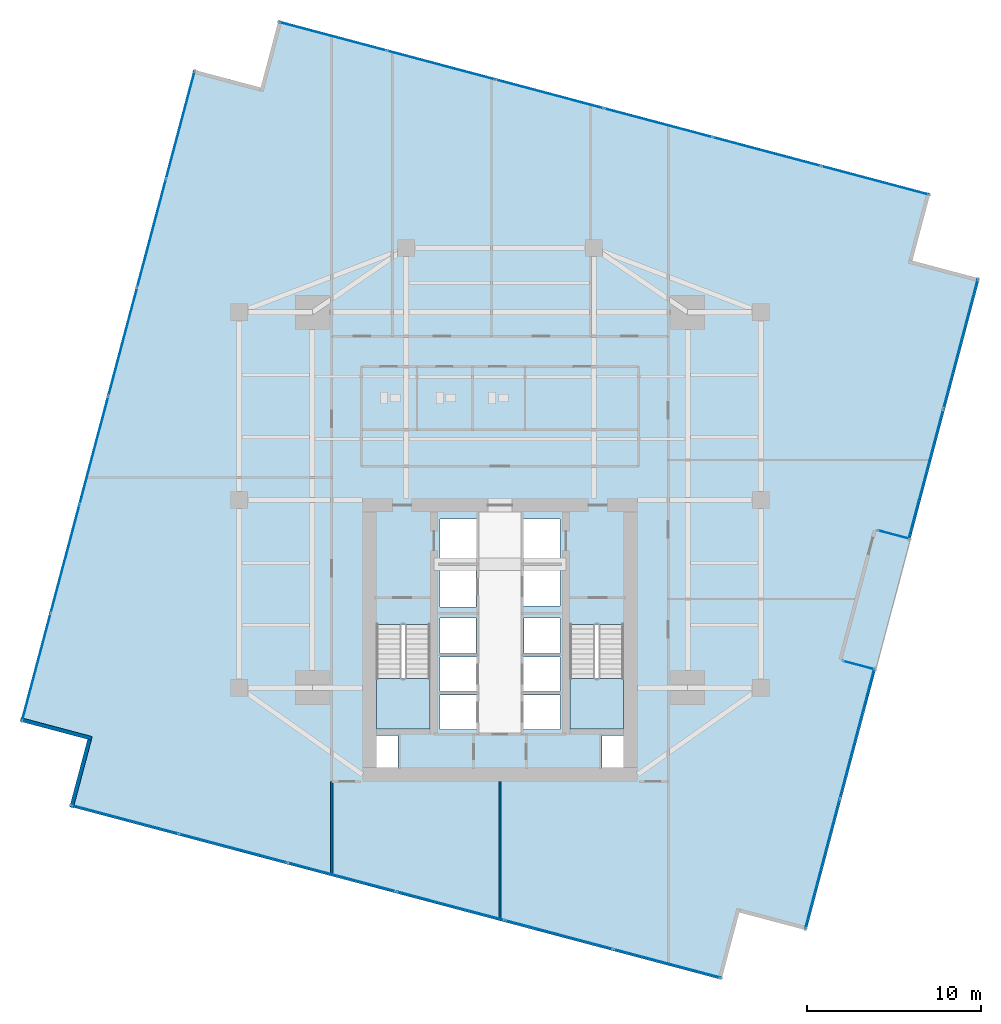
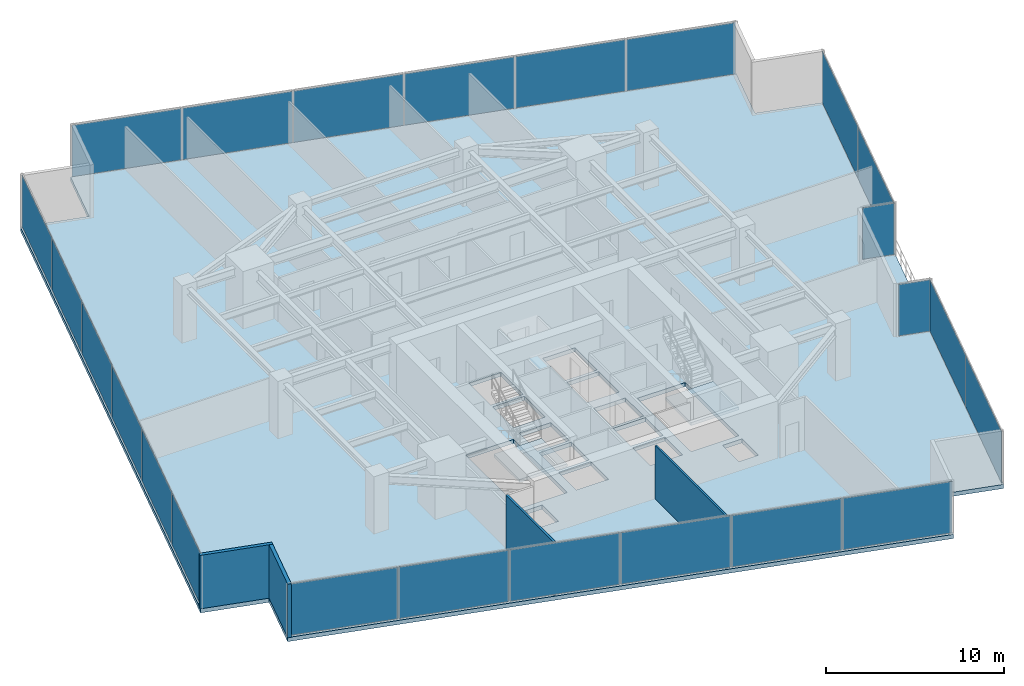
# One storey, part 22 of 27: 24 plates, 4 walls, 3 slabs, 9 elements without a shape of their own.
"""IFC4 building model written with IfcOpenShell, lengths in metres."""

from ifc_helpers import new_model, si_unit, direction, frame, frame_2d, origin, origin_2d, place, context, subcontext, project, spatial, polyline, rectangle, outline, extrude, source, transform, mapped, material, layer, layer_set, type_object, type_shapes, element, aggregate, save


model = new_model("IFC4")

# Units and contexts
model_context = context("Model", 3, precision=1e-05, world=origin(), true_north=direction((0.0, 1.0)))
body_context = subcontext(model_context, "Body", "Model", "MODEL_VIEW")
ifc_project = project(units=[si_unit("LENGTHUNIT", "METRE"), si_unit("AREAUNIT", "SQUARE_METRE"), si_unit("VOLUMEUNIT", "CUBIC_METRE"), si_unit("PLANEANGLEUNIT", "RADIAN"), si_unit("MASSUNIT", "GRAM", prefix="KILO")], contexts=[model_context])

# Site, building, storey
site_placement = place(None, origin())
site = spatial("IfcSite", under=ifc_project, at=site_placement, CompositionType="ELEMENT")
building_placement = place(site_placement, origin())
building = spatial("IfcBuilding", under=site, at=building_placement, Name="Krantzveldt Concourse Tower", CompositionType="ELEMENT")
storey_placement = place(building_placement, frame((0.0, 0.0, 105.85009765625)))
storey = spatial("IfcBuildingStorey", under=building, at=storey_placement, Name="L25", CompositionType="ELEMENT", Elevation=105.85009765625)

# Stair, slab
ifc_material_1 = material(Name="Precast concrete C40/50", Category="concrete")
stair_type = type_object("IfcStairType", Name="STR-CORE-DOGLEG", PredefinedType="HALF_TURN_STAIR", material=ifc_material_1)
stair_1_placement = place(storey_placement, origin())
stair_1 = element("IfcStair", 1, at=stair_1_placement, inside=storey, type_object=stair_type, Name="L25 Protected Escape Stair ST-1", PredefinedType="HALF_TURN_STAIR")
ifc_layer_1 = layer(ifc_material_1, 0.199951171875, Name="Precast concrete C40/50", Category="concrete")
ifc_layer_set_1 = layer_set([ifc_layer_1], Name="Precast concrete C40/50 (SL-LANDING-200)")
slab_type_1 = type_object("IfcSlabType", Name="SL-LANDING-200", PredefinedType="LANDING", material=ifc_layer_set_1)
slab_1_placement = place(storey_placement, frame((0.0, 0.0, 1.77490234375)))
slab_1 = element("IfcSlab", 2, at=slab_1_placement, type_object=slab_type_1, Name="ST-1 landing 1", PredefinedType="LANDING", context=body_context, shape_type="SweptSolid", body=[
    extrude(outline(polyline([(28.8798828125, 16.4150390625), (28.8798828125, 13.52001953125), (31.97998046875, 13.52001953125), (31.97998046875, 16.4150390625), (28.8798828125, 16.4150390625)])), origin(), (0.0, 0.0, 1.0), 0.199951171875),
])
aggregate(stair_1, [slab_1])

stair_2_placement = place(storey_placement, origin())
stair_2 = element("IfcStair", 3, at=stair_2_placement, inside=storey, type_object=stair_type, Name="L25 Protected Escape Stair ST-2", PredefinedType="HALF_TURN_STAIR")
slab_2_placement = place(storey_placement, frame((0.0, 0.0, 1.77490234375)))
slab_2 = element("IfcSlab", 4, at=slab_2_placement, type_object=slab_type_1, Name="ST-2 landing 1", PredefinedType="LANDING", context=body_context, shape_type="SweptSolid", body=[
    extrude(outline(polyline([(40.02001953125, 16.4150390625), (40.02001953125, 13.52001953125), (43.1201171875, 13.52001953125), (43.1201171875, 16.4150390625), (40.02001953125, 16.4150390625)])), origin(), (0.0, 0.0, 1.0), 0.199951171875),
])
aggregate(stair_2, [slab_2])

# Slab
ifc_material_2 = material(Name="Concrete C40/50", Category="concrete")
ifc_layer_2 = layer(ifc_material_2, 0.280029296875, Name="Concrete C40/50", Category="concrete")
ifc_layer_set_2 = layer_set([ifc_layer_2], Name="Concrete C40/50 (SL-SL-TER280)")
slab_type_2 = type_object("IfcSlabType", Name="SL-SL-TER280", PredefinedType="FLOOR", material=ifc_layer_set_2)
slab_3_placement = place(storey_placement, frame((0.0, 0.0, -0.280029296875)))
element("IfcSlab", 5, at=slab_3_placement, inside=storey, type_object=slab_type_2, Name="SL-L25-MAIN", PredefinedType="FLOOR", context=body_context, shape_type="SweptSolid", body=[
    extrude(outline(polyline([(22.230224609375, 50.43017578125), (18.3642578125, 51.45703125), (8.404052734375, 13.957275390625), (12.27001953125, 12.930419921875), (11.2431640625, 9.064453125), (48.742919921875, -0.89599609375), (49.769775390625, 2.969970703125), (53.6357421875, 1.943115234375), (63.595947265625, 39.44287109375), (59.72998046875, 40.4697265625), (60.7568359375, 44.335693359375), (23.257080078125, 54.2958984375), (22.230224609375, 50.43017578125)]), holes=[polyline([(28.8798828125, 19.547607421875), (28.8798828125, 13.52001953125), (31.97998046875, 13.52001953125), (31.97998046875, 19.547607421875), (28.8798828125, 19.547607421875)]), polyline([(40.02001953125, 19.547607421875), (40.02001953125, 13.52001953125), (43.1201171875, 13.52001953125), (43.1201171875, 19.547607421875), (40.02001953125, 19.547607421875)]), polyline([(32.550048828125, 23.10009765625), (34.64990234375, 23.10009765625), (34.64990234375, 25.60009765625), (32.550048828125, 25.60009765625), (32.550048828125, 23.10009765625)]), polyline([(37.35009765625, 23.10009765625), (39.449951171875, 23.10009765625), (39.449951171875, 25.60009765625), (37.35009765625, 25.60009765625), (37.35009765625, 23.10009765625)]), polyline([(37.35009765625, 20.60009765625), (39.449951171875, 20.60009765625), (39.449951171875, 22.89990234375), (37.35009765625, 22.89990234375), (37.35009765625, 20.60009765625)]), polyline([(32.550048828125, 13.47998046875), (34.64990234375, 13.47998046875), (34.64990234375, 15.47998046875), (32.550048828125, 15.47998046875), (32.550048828125, 13.47998046875)]), polyline([(32.550048828125, 15.679931640625), (34.64990234375, 15.679931640625), (34.64990234375, 17.679931640625), (32.550048828125, 17.679931640625), (32.550048828125, 15.679931640625)]), polyline([(37.35009765625, 13.47998046875), (39.449951171875, 13.47998046875), (39.449951171875, 15.47998046875), (37.35009765625, 15.47998046875), (37.35009765625, 13.47998046875)]), polyline([(37.35009765625, 15.679931640625), (39.449951171875, 15.679931640625), (39.449951171875, 17.679931640625), (37.35009765625, 17.679931640625), (37.35009765625, 15.679931640625)]), polyline([(32.550048828125, 20.550048828125), (34.6201171875, 20.550048828125), (34.6201171875, 22.89990234375), (32.550048828125, 22.89990234375), (32.550048828125, 20.550048828125)]), polyline([(32.550048828125, 17.8798828125), (34.6201171875, 17.8798828125), (34.6201171875, 19.919921875), (32.550048828125, 19.919921875), (32.550048828125, 17.8798828125)]), polyline([(37.3798828125, 17.8798828125), (39.449951171875, 17.8798828125), (39.449951171875, 19.919921875), (37.3798828125, 19.919921875), (37.3798828125, 17.8798828125)]), polyline([(28.8798828125, 11.320068359375), (30.139892578125, 11.320068359375), (30.139892578125, 13.159912109375), (28.8798828125, 13.159912109375), (28.8798828125, 11.320068359375)]), polyline([(41.860107421875, 11.320068359375), (43.1201171875, 11.320068359375), (43.1201171875, 13.159912109375), (41.860107421875, 13.159912109375), (41.860107421875, 11.320068359375)])]), origin(), (0.0, 0.0, 1.0), 0.280029296875),
])

# Curtain wall, plate
ifc_material_3 = material(Name="Anodised aluminium 6063-T6", Category="aluminium")
curtain_wall_type_1 = type_object("IfcCurtainWallType", Name="CW6", PredefinedType="USERDEFINED", material=ifc_material_3)
curtain_wall_1_placement = place(storey_placement, origin())
curtain_wall_1 = element("IfcCurtainWall", 6, at=curtain_wall_1_placement, inside=storey, type_object=curtain_wall_type_1, Name="CW-L25-TR08", ObjectType="UNITISED CURTAIN WALL", PredefinedType="USERDEFINED")
ifc_material_4 = material(Name="Bronze-tinted laminated low-E IGU glass", Category="glass")
ifc_layer_3 = layer(ifc_material_4, 0.031982421875, Name="Bronze-tinted laminated low-E IGU glass", Category="glass")
ifc_layer_set_3 = layer_set([ifc_layer_3], Name="Bronze-tinted laminated low-E IGU glass (CW-GLZ-32)")
plate_type = type_object("IfcPlateType", Name="CW-GLZ-32", PredefinedType="CURTAIN_PANEL", material=ifc_layer_set_3)
shared_shape_1 = source(origin(), body_context, "Body", "SweptSolid", [
    extrude(rectangle(XDim=1.860107421875, YDim=0.031982421875, at=origin_2d()), origin(), (0.0, 0.0, 1.0), 3.530029296875),
])
plate_1_placement = place(storey_placement, frame((56.650634765625, 17.18994140625, 0.06982421875), z_axis=(0.0, 0.0, 1.0), x_axis=(-0.96648733669, 0.256714292587, 0.0)))
plate_1 = element("IfcPlate", 7, at=plate_1_placement, type_object=plate_type, Name="CW-TERR panel 1.1", PredefinedType="CURTAIN_PANEL", context=body_context, shape_type="MappedRepresentation", body=[
    mapped(shared_shape_1, transform((0.0, 0.0, 0.0), x_axis=(1.0, 0.0, 0.0), y_axis=(0.0, 1.0, 0.0), z_axis=(0.0, 0.0, 1.0), scale=1.0)),
])
aggregate(curtain_wall_1, [plate_1])

curtain_wall_2_placement = place(storey_placement, origin())
curtain_wall_2 = element("IfcCurtainWall", 8, at=curtain_wall_2_placement, inside=storey, type_object=curtain_wall_type_1, Name="CW-L25-TR10", ObjectType="UNITISED CURTAIN WALL", PredefinedType="USERDEFINED")
plate_2_placement = place(storey_placement, frame((58.64794921875, 24.709228515625, 0.06982421875), z_axis=(0.0, 0.0, 1.0), x_axis=(0.966488577233, -0.256709622099, 0.0)))
plate_2 = element("IfcPlate", 9, at=plate_2_placement, type_object=plate_type, Name="CW-TERR panel 1.1", PredefinedType="CURTAIN_PANEL", context=body_context, shape_type="MappedRepresentation", body=[
    mapped(shared_shape_1, transform((0.0, 0.0, 0.0), x_axis=(1.0, 0.0, 0.0), y_axis=(0.0, 1.0, 0.0), z_axis=(0.0, 0.0, 1.0), scale=1.0)),
])
aggregate(curtain_wall_2, [plate_2])

# Curtain wall, plates
curtain_wall_type_2 = type_object("IfcCurtainWallType", Name="CW2", PredefinedType="USERDEFINED", material=ifc_material_3)
curtain_wall_3_placement = place(storey_placement, origin())
curtain_wall_3 = element("IfcCurtainWall", 10, at=curtain_wall_3_placement, inside=storey, type_object=curtain_wall_type_2, Name="CW-L25-F01", ObjectType="UNITISED CURTAIN WALL", PredefinedType="USERDEFINED")
shared_shape_2 = source(origin(), body_context, "Body", "SweptSolid", [
    extrude(rectangle(XDim=6.361572265625, YDim=0.031982421875, at=origin_2d()), origin(), (0.0, 0.0, 1.0), 3.530029296875),
])
plate_3_placement = place(storey_placement, frame((17.616943359375, 48.2919921875, 0.06982421875), z_axis=(0.0, 0.0, 1.0), x_axis=(-0.256711093648, -0.966488186373, 0.0)))
plate_3 = element("IfcPlate", 11, at=plate_3_placement, type_object=plate_type, Name="CW-Z12 panel 1.1", PredefinedType="CURTAIN_PANEL", context=body_context, shape_type="MappedRepresentation", body=[
    mapped(shared_shape_2, transform((0.0, 0.0, 0.0), x_axis=(1.0, 0.0, 0.0), y_axis=(0.0, 1.0, 0.0), z_axis=(0.0, 0.0, 1.0), scale=1.0)),
])
plate_4_placement = place(storey_placement, frame((9.325439453125, 17.075927734375, 0.06982421875), z_axis=(0.0, 0.0, 1.0), x_axis=(-0.256711093648, -0.966488186373, 0.0)))
plate_4 = element("IfcPlate", 12, at=plate_4_placement, type_object=plate_type, Name="CW-Z12 panel 6.1", PredefinedType="CURTAIN_PANEL", context=body_context, shape_type="MappedRepresentation", body=[
    mapped(shared_shape_2, transform((0.0, 0.0, 0.0), x_axis=(1.0, 0.0, 0.0), y_axis=(0.0, 1.0, 0.0), z_axis=(0.0, 0.0, 1.0), scale=1.0)),
])

curtain_wall_4_placement = place(storey_placement, origin())
curtain_wall_4 = element("IfcCurtainWall", 13, at=curtain_wall_4_placement, inside=storey, type_object=curtain_wall_type_2, Name="CW-L25-F04", ObjectType="UNITISED CURTAIN WALL", PredefinedType="USERDEFINED")
plate_5_placement = place(storey_placement, frame((14.408203125, 8.31689453125, 0.06982421875), z_axis=(0.0, 0.0, 1.0), x_axis=(0.966488186373, -0.256711093648, 0.0)))
plate_5 = element("IfcPlate", 14, at=plate_5_placement, type_object=plate_type, Name="CW-Z12 panel 1.1", PredefinedType="CURTAIN_PANEL", context=body_context, shape_type="MappedRepresentation", body=[
    mapped(shared_shape_2, transform((0.0, 0.0, 0.0), x_axis=(1.0, 0.0, 0.0), y_axis=(0.0, 1.0, 0.0), z_axis=(0.0, 0.0, 1.0), scale=1.0)),
])
plate_6_placement = place(storey_placement, frame((45.6240234375, 0.025390625, 0.06982421875), z_axis=(0.0, 0.0, 1.0), x_axis=(0.966488186373, -0.256711093648, 0.0)))
plate_6 = element("IfcPlate", 15, at=plate_6_placement, type_object=plate_type, Name="CW-Z12 panel 6.1", PredefinedType="CURTAIN_PANEL", context=body_context, shape_type="MappedRepresentation", body=[
    mapped(shared_shape_2, transform((0.0, 0.0, 0.0), x_axis=(1.0, 0.0, 0.0), y_axis=(0.0, 1.0, 0.0), z_axis=(0.0, 0.0, 1.0), scale=1.0)),
])

curtain_wall_5_placement = place(storey_placement, origin())
curtain_wall_5 = element("IfcCurtainWall", 16, at=curtain_wall_5_placement, inside=storey, type_object=curtain_wall_type_2, Name="CW-L25-F14", ObjectType="UNITISED CURTAIN WALL", PredefinedType="USERDEFINED")
plate_7_placement = place(storey_placement, frame((57.591796875, 45.083251953125, 0.06982421875), z_axis=(0.0, 0.0, 1.0), x_axis=(-0.966488186373, 0.256711093648, 0.0)))
plate_7 = element("IfcPlate", 17, at=plate_7_placement, type_object=plate_type, Name="CW-Z12 panel 1.1", PredefinedType="CURTAIN_PANEL", context=body_context, shape_type="MappedRepresentation", body=[
    mapped(shared_shape_2, transform((0.0, 0.0, 0.0), x_axis=(1.0, 0.0, 0.0), y_axis=(0.0, 1.0, 0.0), z_axis=(0.0, 0.0, 1.0), scale=1.0)),
])
plate_8_placement = place(storey_placement, frame((26.3759765625, 53.37451171875, 0.06982421875), z_axis=(0.0, 0.0, 1.0), x_axis=(-0.966488186373, 0.256711093648, 0.0)))
plate_8 = element("IfcPlate", 18, at=plate_8_placement, type_object=plate_type, Name="CW-Z12 panel 6.1", PredefinedType="CURTAIN_PANEL", context=body_context, shape_type="MappedRepresentation", body=[
    mapped(shared_shape_2, transform((0.0, 0.0, 0.0), x_axis=(1.0, 0.0, 0.0), y_axis=(0.0, 1.0, 0.0), z_axis=(0.0, 0.0, 1.0), scale=1.0)),
])

# Plate
shared_shape_3 = source(origin(), body_context, "Body", "SweptSolid", [
    extrude(rectangle(XDim=6.396728515625, YDim=0.031982421875, at=origin_2d()), origin(), (0.0, 0.0, 1.0), 3.530029296875),
])
plate_9_placement = place(storey_placement, frame((15.961181640625, 42.058837890625, 0.06982421875), z_axis=(0.0, 0.0, 1.0), x_axis=(-0.256711093648, -0.966488186373, 0.0)))
plate_9 = element("IfcPlate", 19, at=plate_9_placement, type_object=plate_type, Name="CW-Z12 panel 2.1", PredefinedType="CURTAIN_PANEL", context=body_context, shape_type="MappedRepresentation", body=[
    mapped(shared_shape_3, transform((0.0, 0.0, 0.0), x_axis=(1.0, 0.0, 0.0), y_axis=(0.0, 1.0, 0.0), z_axis=(0.0, 0.0, 1.0), scale=1.0)),
])

plate_10_placement = place(storey_placement, frame((14.30126953125, 35.808837890625, 0.06982421875), z_axis=(0.0, 0.0, 1.0), x_axis=(-0.256711093648, -0.966488186373, 0.0)))
plate_10 = element("IfcPlate", 20, at=plate_10_placement, type_object=plate_type, Name="CW-Z12 panel 3.1", PredefinedType="CURTAIN_PANEL", context=body_context, shape_type="MappedRepresentation", body=[
    mapped(shared_shape_3, transform((0.0, 0.0, 0.0), x_axis=(1.0, 0.0, 0.0), y_axis=(0.0, 1.0, 0.0), z_axis=(0.0, 0.0, 1.0), scale=1.0)),
])

plate_11_placement = place(storey_placement, frame((12.64111328125, 29.55908203125, 0.06982421875), z_axis=(0.0, 0.0, 1.0), x_axis=(-0.256711093648, -0.966488186373, 0.0)))
plate_11 = element("IfcPlate", 21, at=plate_11_placement, type_object=plate_type, Name="CW-Z12 panel 4.1", PredefinedType="CURTAIN_PANEL", context=body_context, shape_type="MappedRepresentation", body=[
    mapped(shared_shape_3, transform((0.0, 0.0, 0.0), x_axis=(1.0, 0.0, 0.0), y_axis=(0.0, 1.0, 0.0), z_axis=(0.0, 0.0, 1.0), scale=1.0)),
])

plate_12_placement = place(storey_placement, frame((10.98095703125, 23.30908203125, 0.06982421875), z_axis=(0.0, 0.0, 1.0), x_axis=(-0.256711093648, -0.966488186373, 0.0)))
plate_12 = element("IfcPlate", 22, at=plate_12_placement, type_object=plate_type, Name="CW-Z12 panel 5.1", PredefinedType="CURTAIN_PANEL", context=body_context, shape_type="MappedRepresentation", body=[
    mapped(shared_shape_3, transform((0.0, 0.0, 0.0), x_axis=(1.0, 0.0, 0.0), y_axis=(0.0, 1.0, 0.0), z_axis=(0.0, 0.0, 1.0), scale=1.0)),
])

aggregate(curtain_wall_3, [plate_3, plate_9, plate_10, plate_11, plate_12, plate_4])

plate_13_placement = place(storey_placement, frame((20.64111328125, 6.6611328125, 0.06982421875), z_axis=(0.0, 0.0, 1.0), x_axis=(0.966488186373, -0.256711093648, 0.0)))
plate_13 = element("IfcPlate", 23, at=plate_13_placement, type_object=plate_type, Name="CW-Z12 panel 2.1", PredefinedType="CURTAIN_PANEL", context=body_context, shape_type="MappedRepresentation", body=[
    mapped(shared_shape_3, transform((0.0, 0.0, 0.0), x_axis=(1.0, 0.0, 0.0), y_axis=(0.0, 1.0, 0.0), z_axis=(0.0, 0.0, 1.0), scale=1.0)),
])

plate_14_placement = place(storey_placement, frame((26.89111328125, 5.001220703125, 0.06982421875), z_axis=(0.0, 0.0, 1.0), x_axis=(0.966488186373, -0.256711093648, 0.0)))
plate_14 = element("IfcPlate", 24, at=plate_14_placement, type_object=plate_type, Name="CW-Z12 panel 3.1", PredefinedType="CURTAIN_PANEL", context=body_context, shape_type="MappedRepresentation", body=[
    mapped(shared_shape_3, transform((0.0, 0.0, 0.0), x_axis=(1.0, 0.0, 0.0), y_axis=(0.0, 1.0, 0.0), z_axis=(0.0, 0.0, 1.0), scale=1.0)),
])

plate_15_placement = place(storey_placement, frame((33.14111328125, 3.341064453125, 0.06982421875), z_axis=(0.0, 0.0, 1.0), x_axis=(0.966488186373, -0.256711093648, 0.0)))
plate_15 = element("IfcPlate", 25, at=plate_15_placement, type_object=plate_type, Name="CW-Z12 panel 4.1", PredefinedType="CURTAIN_PANEL", context=body_context, shape_type="MappedRepresentation", body=[
    mapped(shared_shape_3, transform((0.0, 0.0, 0.0), x_axis=(1.0, 0.0, 0.0), y_axis=(0.0, 1.0, 0.0), z_axis=(0.0, 0.0, 1.0), scale=1.0)),
])

plate_16_placement = place(storey_placement, frame((39.39111328125, 1.68115234375, 0.06982421875), z_axis=(0.0, 0.0, 1.0), x_axis=(0.966488186373, -0.256711093648, 0.0)))
plate_16 = element("IfcPlate", 26, at=plate_16_placement, type_object=plate_type, Name="CW-Z12 panel 5.1", PredefinedType="CURTAIN_PANEL", context=body_context, shape_type="MappedRepresentation", body=[
    mapped(shared_shape_3, transform((0.0, 0.0, 0.0), x_axis=(1.0, 0.0, 0.0), y_axis=(0.0, 1.0, 0.0), z_axis=(0.0, 0.0, 1.0), scale=1.0)),
])

aggregate(curtain_wall_4, [plate_5, plate_13, plate_14, plate_15, plate_16, plate_6])

plate_17_placement = place(storey_placement, frame((51.35888671875, 46.73876953125, 0.06982421875), z_axis=(0.0, 0.0, 1.0), x_axis=(-0.966488186373, 0.256711093648, 0.0)))
plate_17 = element("IfcPlate", 27, at=plate_17_placement, type_object=plate_type, Name="CW-Z12 panel 2.1", PredefinedType="CURTAIN_PANEL", context=body_context, shape_type="MappedRepresentation", body=[
    mapped(shared_shape_3, transform((0.0, 0.0, 0.0), x_axis=(1.0, 0.0, 0.0), y_axis=(0.0, 1.0, 0.0), z_axis=(0.0, 0.0, 1.0), scale=1.0)),
])

plate_18_placement = place(storey_placement, frame((45.10888671875, 48.39892578125, 0.06982421875), z_axis=(0.0, 0.0, 1.0), x_axis=(-0.966488186373, 0.256711093648, 0.0)))
plate_18 = element("IfcPlate", 28, at=plate_18_placement, type_object=plate_type, Name="CW-Z12 panel 3.1", PredefinedType="CURTAIN_PANEL", context=body_context, shape_type="MappedRepresentation", body=[
    mapped(shared_shape_3, transform((0.0, 0.0, 0.0), x_axis=(1.0, 0.0, 0.0), y_axis=(0.0, 1.0, 0.0), z_axis=(0.0, 0.0, 1.0), scale=1.0)),
])

plate_19_placement = place(storey_placement, frame((38.85888671875, 50.058837890625, 0.06982421875), z_axis=(0.0, 0.0, 1.0), x_axis=(-0.966488186373, 0.256711093648, 0.0)))
plate_19 = element("IfcPlate", 29, at=plate_19_placement, type_object=plate_type, Name="CW-Z12 panel 4.1", PredefinedType="CURTAIN_PANEL", context=body_context, shape_type="MappedRepresentation", body=[
    mapped(shared_shape_3, transform((0.0, 0.0, 0.0), x_axis=(1.0, 0.0, 0.0), y_axis=(0.0, 1.0, 0.0), z_axis=(0.0, 0.0, 1.0), scale=1.0)),
])

plate_20_placement = place(storey_placement, frame((32.60888671875, 51.718994140625, 0.06982421875), z_axis=(0.0, 0.0, 1.0), x_axis=(-0.966488186373, 0.256711093648, 0.0)))
plate_20 = element("IfcPlate", 30, at=plate_20_placement, type_object=plate_type, Name="CW-Z12 panel 5.1", PredefinedType="CURTAIN_PANEL", context=body_context, shape_type="MappedRepresentation", body=[
    mapped(shared_shape_3, transform((0.0, 0.0, 0.0), x_axis=(1.0, 0.0, 0.0), y_axis=(0.0, 1.0, 0.0), z_axis=(0.0, 0.0, 1.0), scale=1.0)),
])

aggregate(curtain_wall_5, [plate_7, plate_17, plate_18, plate_19, plate_20, plate_8])

# Curtain wall, plates
curtain_wall_6_placement = place(storey_placement, origin())
curtain_wall_6 = element("IfcCurtainWall", 31, at=curtain_wall_6_placement, inside=storey, type_object=curtain_wall_type_2, Name="CW-L25-F07", ObjectType="UNITISED CURTAIN WALL", PredefinedType="USERDEFINED")
shared_shape_4 = source(origin(), body_context, "Body", "SweptSolid", [
    extrude(rectangle(XDim=7.695068359375, YDim=0.031982421875, at=origin_2d()), origin(), (0.0, 0.0, 1.0), 3.530029296875),
])
type_shapes(plate_type, [shared_shape_1, shared_shape_2, shared_shape_3, shared_shape_4])
plate_21_placement = place(storey_placement, frame((54.55419921875, 5.75244140625, 0.06982421875), z_axis=(0.0, 0.0, 1.0), x_axis=(0.256711001141, 0.966488210944, 0.0)))
plate_21 = element("IfcPlate", 32, at=plate_21_placement, type_object=plate_type, Name="CW-Z12 panel 1.1", PredefinedType="CURTAIN_PANEL", context=body_context, shape_type="MappedRepresentation", body=[
    mapped(shared_shape_4, transform((0.0, 0.0, 0.0), x_axis=(1.0, 0.0, 0.0), y_axis=(0.0, 1.0, 0.0), z_axis=(0.0, 0.0, 1.0), scale=1.0)),
])
plate_22_placement = place(storey_placement, frame((56.547607421875, 13.257080078125, 0.06982421875), z_axis=(0.0, 0.0, 1.0), x_axis=(0.256711001141, 0.966488210944, 0.0)))
plate_22 = element("IfcPlate", 33, at=plate_22_placement, type_object=plate_type, Name="CW-Z12 panel 2.1", PredefinedType="CURTAIN_PANEL", context=body_context, shape_type="MappedRepresentation", body=[
    mapped(shared_shape_4, transform((0.0, 0.0, 0.0), x_axis=(1.0, 0.0, 0.0), y_axis=(0.0, 1.0, 0.0), z_axis=(0.0, 0.0, 1.0), scale=1.0)),
])
aggregate(curtain_wall_6, [plate_21, plate_22])

curtain_wall_7_placement = place(storey_placement, origin())
curtain_wall_7 = element("IfcCurtainWall", 34, at=curtain_wall_7_placement, inside=storey, type_object=curtain_wall_type_2, Name="CW-L25-F11", ObjectType="UNITISED CURTAIN WALL", PredefinedType="USERDEFINED")
plate_23_placement = place(storey_placement, frame((60.510009765625, 28.175048828125, 0.06982421875), z_axis=(0.0, 0.0, 1.0), x_axis=(0.256711001141, 0.966488210944, 0.0)))
plate_23 = element("IfcPlate", 35, at=plate_23_placement, type_object=plate_type, Name="CW-Z12 panel 1.1", PredefinedType="CURTAIN_PANEL", context=body_context, shape_type="MappedRepresentation", body=[
    mapped(shared_shape_4, transform((0.0, 0.0, 0.0), x_axis=(1.0, 0.0, 0.0), y_axis=(0.0, 1.0, 0.0), z_axis=(0.0, 0.0, 1.0), scale=1.0)),
])
plate_24_placement = place(storey_placement, frame((62.50341796875, 35.6796875, 0.06982421875), z_axis=(0.0, 0.0, 1.0), x_axis=(0.256711001141, 0.966488210944, 0.0)))
plate_24 = element("IfcPlate", 36, at=plate_24_placement, type_object=plate_type, Name="CW-Z12 panel 2.1", PredefinedType="CURTAIN_PANEL", context=body_context, shape_type="MappedRepresentation", body=[
    mapped(shared_shape_4, transform((0.0, 0.0, 0.0), x_axis=(1.0, 0.0, 0.0), y_axis=(0.0, 1.0, 0.0), z_axis=(0.0, 0.0, 1.0), scale=1.0)),
])
aggregate(curtain_wall_7, [plate_23, plate_24])

# Walls
ifc_layer_4 = layer(ifc_material_3, 0.219970703125, Name="Anodised aluminium 6063-T6", Category="aluminium")
ifc_layer_set_4 = layer_set([ifc_layer_4], Name="Anodised aluminium 6063-T6 (WL-EXT-NOTCH220)")
wall_type_1 = type_object("IfcWallType", Name="WL-EXT-NOTCH220", PredefinedType="ELEMENTEDWALL", material=ifc_layer_set_4)
wall_1_placement = place(storey_placement, frame((8.407958984375, 14.06982421875, 0.0), z_axis=(0.0, 0.0, 1.0), x_axis=(0.966496943173, -0.256678123022, 0.0)))
element("IfcWall", 37, at=wall_1_placement, inside=storey, type_object=wall_type_1, Name="EW-L25-NCH02", PredefinedType="ELEMENTEDWALL", context=body_context, shape_type="SweptSolid", body=[
    extrude(rectangle(XDim=4.2451171875, YDim=0.219970703125, at=frame_2d((2.12255859375, 0.0))), origin(), (0.0, 0.0, 1.0), 3.669921875),
])
wall_2_placement = place(storey_placement, frame((12.376220703125, 12.902099609375, 0.0), z_axis=(0.0, 0.0, 1.0), x_axis=(-0.256696053144, -0.966492181189, 0.0)))
element("IfcWall", 38, at=wall_2_placement, inside=storey, type_object=wall_type_1, Name="EW-L25-NCH03", PredefinedType="ELEMENTEDWALL", context=body_context, shape_type="SweptSolid", body=[
    extrude(rectangle(XDim=4.02490234375, YDim=0.219970703125, at=frame_2d((2.012451171875, 0.0))), origin(), (0.0, 0.0, 1.0), 3.669921875),
])
ifc_material_5 = material(Name="Fire-rated gypsum plasterboard on steel stud", Category="steel")
ifc_layer_5 = layer(ifc_material_5, 0.1201171875, Name="Fire-rated gypsum plasterboard on steel stud", Category="steel")
ifc_layer_set_5 = layer_set([ifc_layer_5], Name="Fire-rated gypsum plasterboard on steel stud (WL-PART-120)")
wall_type_2 = type_object("IfcWallType", Name="WL-PART-120", PredefinedType="PARTITIONING", material=ifc_layer_set_5)
wall_3_placement = place(storey_placement, frame((36.0, 2.581787109375, 0.0), z_axis=(0.0, 0.0, 1.0), x_axis=(0.0, 1.0, 0.0)))
element("IfcWall", 39, at=wall_3_placement, inside=storey, type_object=wall_type_2, Name="WP-L25-SMD", PredefinedType="PARTITIONING", context=body_context, shape_type="SweptSolid", body=[
    extrude(rectangle(XDim=7.918212890625, YDim=0.1201171875, at=frame_2d((3.958984375, 0.0))), origin(), (0.0, 0.0, 1.0), 3.669921875),
])
ifc_layer_6 = layer(ifc_material_5, 0.139892578125, Name="Fire-rated gypsum plasterboard on steel stud", Category="steel")
ifc_layer_set_6 = layer_set([ifc_layer_6], Name="Fire-rated gypsum plasterboard on steel stud (WL-PART-140)")
wall_type_3 = type_object("IfcWallType", Name="WL-PART-140", PredefinedType="PARTITIONING", material=ifc_layer_set_6)
wall_4_placement = place(storey_placement, frame((26.320068359375, 5.15283203125, 0.0), z_axis=(0.0, 0.0, 1.0), x_axis=(0.0, 1.0, 0.0)))
element("IfcWall", 40, at=wall_4_placement, inside=storey, type_object=wall_type_3, Name="WP-L25-SWL", PredefinedType="PARTITIONING", context=body_context, shape_type="SweptSolid", body=[
    extrude(rectangle(XDim=5.34716796875, YDim=0.139892578125, at=frame_2d((2.673583984375, 0.0))), origin(), (0.0, 0.0, 1.0), 3.669921875),
])

save(model, "model.ifc")
